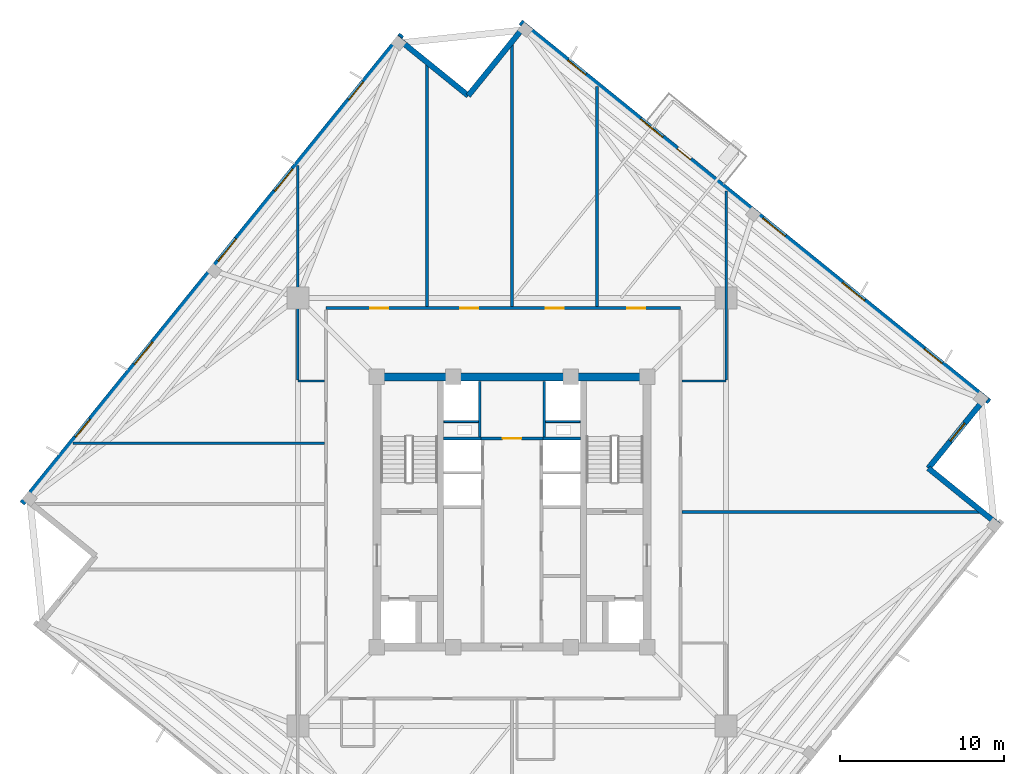
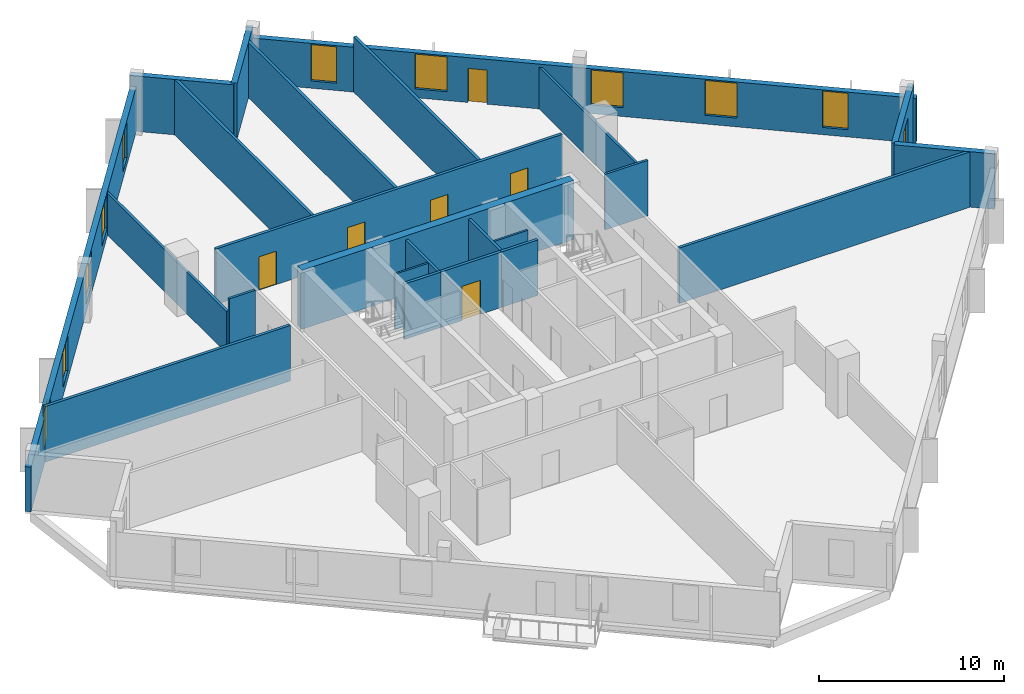
# One storey, part 5 of 10: 24 walls, 11 windows, 6 doors, 17 openings.
"""IFC4 building model written with IfcOpenShell, lengths in metres."""

from ifc_helpers import new_model, si_unit, direction, frame, frame_2d, origin, place, context, subcontext, project, spatial, rectangle, extrude, source, transform, mapped, material, layer, layer_set, type_object, element, fill, save


model = new_model("IFC4")

# Units and contexts
model_context = context("Model", 3, precision=1e-05, world=origin(), true_north=direction((0.0, 1.0)))
body_context = subcontext(model_context, "Body", "Model", "MODEL_VIEW")
ifc_project = project(units=[si_unit("LENGTHUNIT", "METRE"), si_unit("AREAUNIT", "SQUARE_METRE"), si_unit("VOLUMEUNIT", "CUBIC_METRE"), si_unit("PLANEANGLEUNIT", "RADIAN"), si_unit("MASSUNIT", "GRAM", prefix="KILO"), si_unit("THERMODYNAMICTEMPERATUREUNIT", "KELVIN")], contexts=[model_context])

# Site, building, storey
site_placement = place(None, origin())
site = spatial("IfcSite", under=ifc_project, at=site_placement, CompositionType="ELEMENT")
building_placement = place(site_placement, origin())
building = spatial("IfcBuilding", under=site, at=building_placement, Name="Kosmvard Interchange Tower", CompositionType="ELEMENT")
storey_placement = place(building_placement, frame((0.0, 0.0, 252.39990234375)))
storey = spatial("IfcBuildingStorey", under=building, at=storey_placement, Name="L61", CompositionType="ELEMENT", Elevation=252.39990234375)

# Walls
ifc_material_1 = material(Name="Acoustic gypsum partition system")
ifc_layer_1 = layer(ifc_material_1, 0.14990234375, Name="Acoustic gypsum partition system")
ifc_layer_set_1 = layer_set([ifc_layer_1], Name="Acoustic gypsum partition system")
wall_type_1 = type_object("IfcWallType", Name="Acoustic Suite & Meeting Partition 150", PredefinedType="PARTITIONING", material=ifc_layer_set_1)
wall_1_placement = place(storey_placement, frame((10.39501953125, 8.0, 0.0), z_axis=(0.0, 0.0, 1.0), x_axis=(1.0, 0.0, 0.0)))
element("IfcWall", 1, at=wall_1_placement, inside=storey, type_object=wall_type_1, Name="L61 Room Partition 09.1", PredefinedType="PARTITIONING", context=body_context, shape_type="SweptSolid", body=[
    extrude(rectangle(XDim=2.68603515625, YDim=0.14990234375, at=frame_2d((1.343017578125, 0.0))), origin(), (0.0, 0.0, 1.0), 3.66015625),
])
wall_2_placement = place(storey_placement, frame((13.0810546875, 8.074951171875, 0.0), z_axis=(0.0, 0.0, 1.0), x_axis=(0.0, 1.0, 0.0)))
element("IfcWall", 2, at=wall_2_placement, inside=storey, type_object=wall_type_1, Name="L61 Room Partition 10.1", PredefinedType="PARTITIONING", context=body_context, shape_type="SweptSolid", body=[
    extrude(rectangle(XDim=11.5390625, YDim=0.14990234375, at=frame_2d((5.76953125, 0.0))), origin(), (0.0, 0.0, 1.0), 2.760009765625),
])
wall_3_placement = place(storey_placement, frame((-11.445068359375, 8.0, 0.0), z_axis=(0.0, 0.0, 1.0), x_axis=(-1.0, 0.0, 0.0)))
element("IfcWall", 3, at=wall_3_placement, inside=storey, type_object=wall_type_1, Name="L61 Room Partition 15.1", PredefinedType="PARTITIONING", context=body_context, shape_type="SweptSolid", body=[
    extrude(rectangle(XDim=1.635986328125, YDim=0.14990234375, at=frame_2d((0.81787109375, 0.0))), origin(), (0.0, 0.0, 1.0), 3.66015625),
])
wall_4_placement = place(storey_placement, frame((-13.0810546875, 8.074951171875, 0.0), z_axis=(0.0, 0.0, 1.0), x_axis=(0.0, 1.0, 0.0)))
element("IfcWall", 4, at=wall_4_placement, inside=storey, type_object=wall_type_1, Name="L61 Room Partition 16.1", PredefinedType="PARTITIONING", context=body_context, shape_type="SweptSolid", body=[
    extrude(rectangle(XDim=13.073486328125, YDim=0.14990234375, at=frame_2d((6.53662109375, 0.0))), origin(), (0.0, 0.0, 1.0), 2.760009765625),
])
ifc_material_2 = material(Name="Fire-rated gypsum partition system")
ifc_layer_2 = layer(ifc_material_2, 0.159912109375, Name="Fire-rated gypsum partition system")
ifc_layer_set_2 = layer_set([ifc_layer_2], Name="Fire-rated gypsum partition system")
wall_type_2 = type_object("IfcWallType", Name="Core Compartment & Shuttle Lobby Partition 160", PredefinedType="PARTITIONING", material=ifc_layer_set_2)
for number, where, z_axis, x_axis, name in (
    (5, (-1.9599609375, 4.580078125, 0.0), (0.0, 0.0, 1.0), (0.0, 1.0, 0.0), "L61 North Core West Wall"),
    (6, (1.9599609375, 4.580078125, 0.0), (0.0, 0.0, 1.0), (0.0, 1.0, 0.0), "L61 North Core East Wall"),
):
    element("IfcWall", number, at=place(storey_placement, frame(where, z_axis=z_axis, x_axis=x_axis)), inside=storey, type_object=wall_type_2, Name=name, PredefinedType="PARTITIONING", context=body_context, shape_type="SweptSolid", body=[
        extrude(rectangle(XDim=3.39990234375, YDim=0.159912109375, at=frame_2d((1.699951171875, 0.0))), origin(), (0.0, 0.0, 1.0), 3.66015625),
    ])

# Wall, opening, door
ifc_layer_3 = layer(ifc_material_2, 0.179931640625, Name="Fire-rated gypsum partition system")
ifc_layer_set_3 = layer_set([ifc_layer_3], Name="Fire-rated gypsum partition system")
wall_type_3 = type_object("IfcWallType", Name="Corridor & Hotel Compartment Partition 180", PredefinedType="PARTITIONING", material=ifc_layer_set_3)
wall_5_placement = place(storey_placement, frame((-1.8798828125, 4.489990234375, 0.0), z_axis=(0.0, 0.0, 1.0), x_axis=(1.0, 0.0, 0.0)))
wall_5 = element("IfcWall", 7, at=wall_5_placement, inside=storey, type_object=wall_type_3, Name="L61 Lift Lobby North Partition", PredefinedType="PARTITIONING", context=body_context, shape_type="SweptSolid", body=[
    extrude(rectangle(XDim=3.759765625, YDim=0.179931640625, at=frame_2d((1.8798828125, 0.0))), origin(), (0.0, 0.0, 1.0), 3.66015625),
])
opening_1_placement = place(wall_5_placement, frame((1.304931640625, 0.0, 0.0)))
opening_1 = element("IfcOpeningElement", 8, at=opening_1_placement, cuts=wall_5, Name="Opening L61-KD1", PredefinedType="OPENING", context=body_context, shape_type="SweptSolid", body=[
    extrude(rectangle(XDim=1.14990234375, YDim=2.25, at=frame_2d((0.574951171875, 1.125))), frame((0.0, 0.10009765625, 0.0), z_axis=(0.0, -1.0, 0.0), x_axis=(1.0, 0.0, 0.0)), (0.0, 0.0, 1.0), 0.199951171875),
])
ifc_material_3 = material(Name="Painted fire-rated steel leaf", Category="steel")
door_type_1 = type_object("IfcDoorType", Name="Plant & Riser Fire Door 1150x2250 EI60", OperationType="NOTDEFINED", PredefinedType="DOOR", material=ifc_material_3)
shared_shape_1 = source(origin(), body_context, "Body", "SweptSolid", [
    extrude(rectangle(XDim=1.14990234375, YDim=2.25, at=frame_2d((0.574951171875, 1.125))), frame((0.0, 0.02490234375, 0.0), z_axis=(0.0, -1.0, 0.0), x_axis=(1.0, 0.0, 0.0)), (0.0, 0.0, 1.0), 0.050048828125),
])
door_1_placement = place(opening_1_placement, origin())
door_1 = element("IfcDoor", 9, at=door_1_placement, inside=storey, type_object=door_type_1, Name="L61 Core IT Room Door", OperationType="SINGLE_SWING_LEFT", OverallHeight=2.25, OverallWidth=1.14990234375, PredefinedType="DOOR", context=body_context, shape_type="MappedRepresentation", body=[
    mapped(shared_shape_1, transform((0.0, 0.0, 0.0), scale=1.0)),
])
fill(opening_1, door_1)

# Wall, openings, doors
wall_6_placement = place(storey_placement, frame((-11.35009765625, 12.449951171875, 0.0), z_axis=(0.0, 0.0, 1.0), x_axis=(1.0, 0.0, 0.0)))
wall_6 = element("IfcWall", 10, at=wall_6_placement, inside=storey, type_object=wall_type_3, Name="L61 Corridor Wall CN", PredefinedType="PARTITIONING", context=body_context, shape_type="SweptSolid", body=[
    extrude(rectangle(XDim=21.650146484375, YDim=0.179931640625, at=frame_2d((10.8251953125, 0.0))), origin(), (0.0, 0.0, 1.0), 3.66015625),
])
opening_2_placement = place(wall_6_placement, frame((2.689453125, 0.0, 0.0)))
opening_2 = element("IfcOpeningElement", 11, at=opening_2_placement, cuts=wall_6, Name="Opening L61-D05", PredefinedType="OPENING", context=body_context, shape_type="SweptSolid", body=[
    extrude(rectangle(XDim=1.10009765625, YDim=2.199951171875, at=frame_2d((0.550048828125, 1.10009765625))), frame((0.0, 0.10009765625, 0.0), z_axis=(0.0, -1.0, 0.0), x_axis=(1.0, 0.0, 0.0)), (0.0, 0.0, 1.0), 0.199951171875),
])
opening_3_placement = place(wall_6_placement, frame((8.199951171875, 0.0, 0.0)))
opening_3 = element("IfcOpeningElement", 12, at=opening_3_placement, cuts=wall_6, Name="Opening L61-D06", PredefinedType="OPENING", context=body_context, shape_type="SweptSolid", body=[
    extrude(rectangle(XDim=1.10009765625, YDim=2.199951171875, at=frame_2d((0.550048828125, 1.10009765625))), frame((0.0, 0.10009765625, 0.0), z_axis=(0.0, -1.0, 0.0), x_axis=(1.0, 0.0, 0.0)), (0.0, 0.0, 1.0), 0.199951171875),
])
opening_4_placement = place(wall_6_placement, frame((13.39990234375, 0.0, 0.0)))
opening_4 = element("IfcOpeningElement", 13, at=opening_4_placement, cuts=wall_6, Name="Opening L61-D07", PredefinedType="OPENING", context=body_context, shape_type="SweptSolid", body=[
    extrude(rectangle(XDim=1.10009765625, YDim=2.199951171875, at=frame_2d((0.550048828125, 1.10009765625))), frame((0.0, 0.10009765625, 0.0), z_axis=(0.0, -1.0, 0.0), x_axis=(1.0, 0.0, 0.0)), (0.0, 0.0, 1.0), 0.199951171875),
])
opening_5_placement = place(wall_6_placement, frame((18.385498046875, 0.0, 0.0)))
opening_5 = element("IfcOpeningElement", 14, at=opening_5_placement, cuts=wall_6, Name="Opening L61-D08", PredefinedType="OPENING", context=body_context, shape_type="SweptSolid", body=[
    extrude(rectangle(XDim=1.10009765625, YDim=2.199951171875, at=frame_2d((0.550048828125, 1.10009765625))), frame((0.0, 0.10009765625, 0.0), z_axis=(0.0, -1.0, 0.0), x_axis=(1.0, 0.0, 0.0)), (0.0, 0.0, 1.0), 0.199951171875),
])
ifc_material_4 = material(Name="Engineered oak fire-rated timber", Category="wood")
door_type_2 = type_object("IfcDoorType", Name="Office Suite Entrance Door 1100x2200 FD30S", OperationType="NOTDEFINED", PredefinedType="DOOR", material=ifc_material_4)
shared_shape_2 = source(origin(), body_context, "Body", "SweptSolid", [
    extrude(rectangle(XDim=1.10009765625, YDim=2.199951171875, at=frame_2d((0.550048828125, 1.10009765625))), frame((0.0, 0.02490234375, 0.0), z_axis=(0.0, -1.0, 0.0), x_axis=(1.0, 0.0, 0.0)), (0.0, 0.0, 1.0), 0.050048828125),
])
door_2_placement = place(opening_2_placement, origin())
door_2 = element("IfcDoor", 15, at=door_2_placement, inside=storey, type_object=door_type_2, Name="L61 North-East Corner Office Door", OperationType="SINGLE_SWING_LEFT", OverallHeight=2.199951171875, OverallWidth=1.10009765625, PredefinedType="DOOR", context=body_context, shape_type="MappedRepresentation", body=[
    mapped(shared_shape_2, transform((0.0, 0.0, 0.0), scale=1.0)),
])
fill(opening_2, door_2)
door_3_placement = place(opening_3_placement, origin())
door_3 = element("IfcDoor", 16, at=door_3_placement, inside=storey, type_object=door_type_2, Name="L61 East Private Office 2 Door", OperationType="SINGLE_SWING_RIGHT", OverallHeight=2.199951171875, OverallWidth=1.10009765625, PredefinedType="DOOR", context=body_context, shape_type="MappedRepresentation", body=[
    mapped(shared_shape_2, transform((0.0, 0.0, 0.0), scale=1.0)),
])
fill(opening_3, door_3)
door_4_placement = place(opening_4_placement, origin())
door_4 = element("IfcDoor", 17, at=door_4_placement, inside=storey, type_object=door_type_2, Name="L61 South-East Corner Office Door", OperationType="SINGLE_SWING_LEFT", OverallHeight=2.199951171875, OverallWidth=1.10009765625, PredefinedType="DOOR", context=body_context, shape_type="MappedRepresentation", body=[
    mapped(shared_shape_2, transform((0.0, 0.0, 0.0), scale=1.0)),
])
fill(opening_4, door_4)
door_5_placement = place(opening_5_placement, origin())
door_5 = element("IfcDoor", 18, at=door_5_placement, inside=storey, type_object=door_type_2, Name="L61 South Diplomatic Boardroom 3 Door", OperationType="SINGLE_SWING_RIGHT", OverallHeight=2.199951171875, OverallWidth=1.10009765625, PredefinedType="DOOR", context=body_context, shape_type="MappedRepresentation", body=[
    mapped(shared_shape_2, transform((0.0, 0.0, 0.0), scale=1.0)),
])
fill(opening_5, door_5)

# Walls
wall_7_placement = place(storey_placement, frame((-5.199951171875, 12.544921875, 0.0), z_axis=(0.0, 0.0, 1.0), x_axis=(0.0, 1.0, 0.0)))
element("IfcWall", 19, at=wall_7_placement, inside=storey, type_object=wall_type_3, Name="L61 Room Partition 01.1", PredefinedType="PARTITIONING", context=body_context, shape_type="SweptSolid", body=[
    extrude(rectangle(XDim=14.79541015625, YDim=0.179931640625, at=frame_2d((7.397705078125, 0.0))), origin(), (0.0, 0.0, 1.0), 3.66015625),
])
wall_8_placement = place(storey_placement, frame((0.0, 12.544921875, 0.0), z_axis=(0.0, 0.0, 1.0), x_axis=(0.0, 1.0, 0.0)))
element("IfcWall", 20, at=wall_8_placement, inside=storey, type_object=wall_type_3, Name="L61 Room Partition 02.1", PredefinedType="PARTITIONING", context=body_context, shape_type="SweptSolid", body=[
    extrude(rectangle(XDim=16.017578125, YDim=0.179931640625, at=frame_2d((8.0087890625, 0.0))), origin(), (0.0, 0.0, 1.0), 3.66015625),
])
wall_9_placement = place(storey_placement, frame((5.199951171875, 12.544921875, 0.0), z_axis=(0.0, 0.0, 1.0), x_axis=(0.0, 1.0, 0.0)))
element("IfcWall", 21, at=wall_9_placement, inside=storey, type_object=wall_type_3, Name="L61 Room Partition 03.1", PredefinedType="PARTITIONING", context=body_context, shape_type="SweptSolid", body=[
    extrude(rectangle(XDim=13.450927734375, YDim=0.179931640625, at=frame_2d((6.7255859375, 0.0))), origin(), (0.0, 0.0, 1.0), 3.66015625),
])
wall_10_placement = place(storey_placement, frame((10.39501953125, 0.0, 0.0), z_axis=(0.0, 0.0, 1.0), x_axis=(1.0, 0.0, 0.0)))
element("IfcWall", 22, at=wall_10_placement, inside=storey, type_object=wall_type_3, Name="L61 Room Partition 04.1", PredefinedType="PARTITIONING", context=body_context, shape_type="SweptSolid", body=[
    extrude(rectangle(XDim=18.16748046875, YDim=0.179931640625, at=frame_2d((9.083740234375, 0.0))), origin(), (0.0, 0.0, 1.0), 3.66015625),
])
wall_11_placement = place(storey_placement, frame((-11.445068359375, 4.199951171875, 0.0), z_axis=(0.0, 0.0, 1.0), x_axis=(-1.0, 0.0, 0.0)))
element("IfcWall", 23, at=wall_11_placement, inside=storey, type_object=wall_type_3, Name="L61 Room Partition 08.1", PredefinedType="PARTITIONING", context=body_context, shape_type="SweptSolid", body=[
    extrude(rectangle(XDim=15.360595703125, YDim=0.179931640625, at=frame_2d((7.68017578125, 0.0))), origin(), (0.0, 0.0, 1.0), 3.66015625),
])
ifc_material_5 = material(Name="Precast concrete C45/55", Category="concrete")
ifc_layer_4 = layer(ifc_material_5, 0.340087890625, Name="Precast concrete C45/55")
ifc_layer_set_4 = layer_set([ifc_layer_4], Name="Precast concrete C45/55")
wall_type_4 = type_object("IfcWallType", Name="Mid Tower Precast Pier Wall 340 C45/55", PredefinedType="STANDARD", material=ifc_layer_set_4)
wall_12_placement = place(storey_placement, frame((29.703125, -0.78857421875, 0.0), z_axis=(0.0, 0.0, 1.0), x_axis=(-0.77714355312, 0.629323365087, 0.0)))
element("IfcWall", 24, at=wall_12_placement, inside=storey, type_object=wall_type_4, Name="L61 Precast Facade Wall N-SE1", PredefinedType="STANDARD", context=body_context, shape_type="SweptSolid", body=[
    extrude(rectangle(XDim=5.499755859375, YDim=0.340087890625, at=frame_2d((2.75, 0.0))), origin(), (0.0, 0.0, 1.0), 3.66015625),
])

# Wall, opening, window
wall_13_placement = place(storey_placement, frame((25.428955078125, 2.672607421875, 0.0), z_axis=(0.0, 0.0, 1.0), x_axis=(0.629299794138, 0.777162640055, 0.0)))
wall_13 = element("IfcWall", 25, at=wall_13_placement, inside=storey, type_object=wall_type_4, Name="L61 Precast Facade Wall N-SE2", PredefinedType="STANDARD", context=body_context, shape_type="SweptSolid", body=[
    extrude(rectangle(XDim=5.669921875, YDim=0.340087890625, at=frame_2d((2.8349609375, 0.0))), origin(), (0.0, 0.0, 1.0), 3.66015625),
])
opening_6_placement = place(wall_13_placement, frame((2.135009765625, 0.0, 0.47998046875)))
opening_6 = element("IfcOpeningElement", 26, at=opening_6_placement, cuts=wall_13, Name="Opening L61-W21", PredefinedType="OPENING", context=body_context, shape_type="SweptSolid", body=[
    extrude(rectangle(XDim=1.39990234375, YDim=2.39990234375, at=frame_2d((0.699951171875, 1.199951171875))), frame((0.0, 0.18017578125, 0.0), z_axis=(0.0, -1.0, 0.0), x_axis=(1.0, 0.0, 0.0)), (0.0, 0.0, 1.0), 0.360107421875),
])
ifc_material_6 = material(Name="Low-E solar-control double glazing", Category="glass")
window_type_1 = type_object("IfcWindowType", Name="Notched Corner Feature Window 1400x2400", PartitioningType="SINGLE_PANEL", PredefinedType="WINDOW", material=ifc_material_6)
shared_shape_3 = source(origin(), body_context, "Body", "SweptSolid", [
    extrude(rectangle(XDim=1.39990234375, YDim=2.39990234375, at=frame_2d((0.699951171875, 1.199951171875))), frame((0.0, 0.030029296875, 0.0), z_axis=(0.0, -1.0, 0.0), x_axis=(1.0, 0.0, 0.0)), (0.0, 0.0, 1.0), 0.06005859375),
])
window_1_placement = place(opening_6_placement, origin())
window_1 = element("IfcWindow", 27, at=window_1_placement, inside=storey, type_object=window_type_1, Name="L61 Corner Notch Window 21", OverallHeight=2.39990234375, OverallWidth=1.39990234375, PartitioningType="SINGLE_PANEL", PredefinedType="WINDOW", context=body_context, shape_type="MappedRepresentation", body=[
    mapped(shared_shape_3, transform((0.0, 0.0, 0.0), scale=1.0)),
])
fill(opening_6, window_1)

# Wall, openings, door, windows
wall_14_placement = place(storey_placement, frame((29.154296875, 6.73291015625, 0.0), z_axis=(0.0, 0.0, 1.0), x_axis=(-0.77714192302, 0.629325378072, 0.0)))
wall_14 = element("IfcWall", 28, at=wall_14_placement, inside=storey, type_object=wall_type_4, Name="L61 Precast Facade Wall F-E", PredefinedType="STANDARD", context=body_context, shape_type="SweptSolid", body=[
    extrude(rectangle(XDim=36.840087890625, YDim=0.340087890625, at=frame_2d((18.419921875, 0.0))), origin(), (0.0, 0.0, 1.0), 2.960205078125),
])
opening_7_placement = place(wall_14_placement, frame((23.4951171875, 0.0, 0.0)))
opening_7 = element("IfcOpeningElement", 29, at=opening_7_placement, cuts=wall_14, Name="Opening L61-BDE", PredefinedType="OPENING", context=body_context, shape_type="SweptSolid", body=[
    extrude(rectangle(XDim=1.050048828125, YDim=2.25, at=frame_2d((0.52490234375, 1.125))), frame((0.0, 0.18017578125, 0.0), z_axis=(0.0, -1.0, 0.0), x_axis=(1.0, 0.0, 0.0)), (0.0, 0.0, 1.0), 0.360107421875),
])
opening_8_placement = place(wall_14_placement, frame((3.720703125, 0.0, 0.47998046875)))
opening_8 = element("IfcOpeningElement", 30, at=opening_8_placement, cuts=wall_14, Name="Opening L61-W06", PredefinedType="OPENING", context=body_context, shape_type="SweptSolid", body=[
    extrude(rectangle(XDim=1.39990234375, YDim=2.39990234375, at=frame_2d((0.699951171875, 1.199951171875))), frame((0.0, 0.18017578125, 0.0), z_axis=(0.0, -1.0, 0.0), x_axis=(1.0, 0.0, 0.0)), (0.0, 0.0, 1.0), 0.360107421875),
])
opening_9_placement = place(wall_14_placement, frame((9.80859375, 0.0, 0.580078125)))
opening_9 = element("IfcOpeningElement", 31, at=opening_9_placement, cuts=wall_14, Name="Opening L61-W07", PredefinedType="OPENING", context=body_context, shape_type="SweptSolid", body=[
    extrude(rectangle(XDim=1.75, YDim=2.300048828125, at=frame_2d((0.875, 1.14990234375))), frame((0.0, 0.18017578125, 0.0), z_axis=(0.0, -1.0, 0.0), x_axis=(1.0, 0.0, 0.0)), (0.0, 0.0, 1.0), 0.360107421875),
])
opening_10_placement = place(wall_14_placement, frame((16.05810546875, 0.0, 0.580078125)))
opening_10 = element("IfcOpeningElement", 32, at=opening_10_placement, cuts=wall_14, Name="Opening L61-W08", PredefinedType="OPENING", context=body_context, shape_type="SweptSolid", body=[
    extrude(rectangle(XDim=1.75, YDim=2.300048828125, at=frame_2d((0.875, 1.14990234375))), frame((0.0, 0.18017578125, 0.0), z_axis=(0.0, -1.0, 0.0), x_axis=(1.0, 0.0, 0.0)), (0.0, 0.0, 1.0), 0.360107421875),
])
opening_11_placement = place(wall_14_placement, frame((25.67626953125, 0.0, 0.580078125)))
opening_11 = element("IfcOpeningElement", 33, at=opening_11_placement, cuts=wall_14, Name="Opening L61-W09", PredefinedType="OPENING", context=body_context, shape_type="SweptSolid", body=[
    extrude(rectangle(XDim=1.75, YDim=2.300048828125, at=frame_2d((0.875, 1.14990234375))), frame((0.0, 0.18017578125, 0.0), z_axis=(0.0, -1.0, 0.0), x_axis=(1.0, 0.0, 0.0)), (0.0, 0.0, 1.0), 0.360107421875),
])
opening_12_placement = place(wall_14_placement, frame((31.732421875, 0.0, 0.47998046875)))
opening_12 = element("IfcOpeningElement", 34, at=opening_12_placement, cuts=wall_14, Name="Opening L61-W10", PredefinedType="OPENING", context=body_context, shape_type="SweptSolid", body=[
    extrude(rectangle(XDim=1.39990234375, YDim=2.39990234375, at=frame_2d((0.699951171875, 1.199951171875))), frame((0.0, 0.18017578125, 0.0), z_axis=(0.0, -1.0, 0.0), x_axis=(1.0, 0.0, 0.0)), (0.0, 0.0, 1.0), 0.360107421875),
])
ifc_material_7 = material(Name="Anodised aluminium and safety glass", Category="aluminium")
door_type_3 = type_object("IfcDoorType", Name="Tree-Balcony Glazed Door 1050x2250", OperationType="NOTDEFINED", PredefinedType="DOOR", material=ifc_material_7)
shared_shape_4 = source(origin(), body_context, "Body", "SweptSolid", [
    extrude(rectangle(XDim=1.050048828125, YDim=2.25, at=frame_2d((0.52490234375, 1.125))), frame((0.0, 0.02490234375, 0.0), z_axis=(0.0, -1.0, 0.0), x_axis=(1.0, 0.0, 0.0)), (0.0, 0.0, 1.0), 0.050048828125),
])
door_6_placement = place(opening_7_placement, origin())
door_6 = element("IfcDoor", 35, at=door_6_placement, inside=storey, type_object=door_type_3, Name="L61 Tree-Balcony Door BAL-L61-E", OperationType="SINGLE_SWING_RIGHT", OverallHeight=2.25, OverallWidth=1.050048828125, PredefinedType="DOOR", context=body_context, shape_type="MappedRepresentation", body=[
    mapped(shared_shape_4, transform((0.0, 0.0, 0.0), scale=1.0)),
])
fill(opening_7, door_6)
window_2_placement = place(opening_8_placement, origin())
window_2 = element("IfcWindow", 36, at=window_2_placement, inside=storey, type_object=window_type_1, Name="L61 Facade Punched Window 06", OverallHeight=2.39990234375, OverallWidth=1.39990234375, PartitioningType="SINGLE_PANEL", PredefinedType="WINDOW", context=body_context, shape_type="MappedRepresentation", body=[
    mapped(shared_shape_3, transform((0.0, 0.0, 0.0), scale=1.0)),
])
fill(opening_8, window_2)
window_3_placement = place(opening_12_placement, origin())
window_3 = element("IfcWindow", 37, at=window_3_placement, inside=storey, type_object=window_type_1, Name="L61 Facade Punched Window 10", OverallHeight=2.39990234375, OverallWidth=1.39990234375, PartitioningType="SINGLE_PANEL", PredefinedType="WINDOW", context=body_context, shape_type="MappedRepresentation", body=[
    mapped(shared_shape_3, transform((0.0, 0.0, 0.0), scale=1.0)),
])
fill(opening_12, window_3)
window_type_2 = type_object("IfcWindowType", Name="Zone 4 Suite Punched Window 1750x2300", PartitioningType="SINGLE_PANEL", PredefinedType="WINDOW", material=ifc_material_6)
shared_shape_5 = source(origin(), body_context, "Body", "SweptSolid", [
    extrude(rectangle(XDim=1.75, YDim=2.300048828125, at=frame_2d((0.875, 1.14990234375))), frame((0.0, 0.030029296875, 0.0), z_axis=(0.0, -1.0, 0.0), x_axis=(1.0, 0.0, 0.0)), (0.0, 0.0, 1.0), 0.06005859375),
])
window_4_placement = place(opening_9_placement, origin())
window_4 = element("IfcWindow", 38, at=window_4_placement, inside=storey, type_object=window_type_2, Name="L61 Facade Punched Window 07", OverallHeight=2.300048828125, OverallWidth=1.75, PartitioningType="SINGLE_PANEL", PredefinedType="WINDOW", context=body_context, shape_type="MappedRepresentation", body=[
    mapped(shared_shape_5, transform((0.0, 0.0, 0.0), scale=1.0)),
])
fill(opening_9, window_4)
window_5_placement = place(opening_10_placement, origin())
window_5 = element("IfcWindow", 39, at=window_5_placement, inside=storey, type_object=window_type_2, Name="L61 Facade Punched Window 08", OverallHeight=2.300048828125, OverallWidth=1.75, PartitioningType="SINGLE_PANEL", PredefinedType="WINDOW", context=body_context, shape_type="MappedRepresentation", body=[
    mapped(shared_shape_5, transform((0.0, 0.0, 0.0), scale=1.0)),
])
fill(opening_10, window_5)
window_6_placement = place(opening_11_placement, origin())
window_6 = element("IfcWindow", 40, at=window_6_placement, inside=storey, type_object=window_type_2, Name="L61 Facade Punched Window 09", OverallHeight=2.300048828125, OverallWidth=1.75, PartitioningType="SINGLE_PANEL", PredefinedType="WINDOW", context=body_context, shape_type="MappedRepresentation", body=[
    mapped(shared_shape_5, transform((0.0, 0.0, 0.0), scale=1.0)),
])
fill(opening_11, window_6)

# Walls
wall_15_placement = place(storey_placement, frame((0.78857421875, 29.703125, 0.0), z_axis=(0.0, 0.0, 1.0), x_axis=(-0.629323365087, -0.77714355312, 0.0)))
element("IfcWall", 41, at=wall_15_placement, inside=storey, type_object=wall_type_4, Name="L61 Precast Facade Wall N-NE1", PredefinedType="STANDARD", context=body_context, shape_type="SweptSolid", body=[
    extrude(rectangle(XDim=5.499755859375, YDim=0.340087890625, at=frame_2d((2.75, 0.0))), origin(), (0.0, 0.0, 1.0), 3.66015625),
])
wall_16_placement = place(storey_placement, frame((-2.672607421875, 25.428955078125, 0.0), z_axis=(0.0, 0.0, 1.0), x_axis=(-0.777162640055, 0.629299794138, 0.0)))
element("IfcWall", 42, at=wall_16_placement, inside=storey, type_object=wall_type_4, Name="L61 Precast Facade Wall N-NE2", PredefinedType="STANDARD", context=body_context, shape_type="SweptSolid", body=[
    extrude(rectangle(XDim=5.669921875, YDim=0.340087890625, at=frame_2d((2.8349609375, 0.0))), origin(), (0.0, 0.0, 1.0), 3.66015625),
])

# Wall, openings, windows
wall_17_placement = place(storey_placement, frame((-6.73291015625, 29.154296875, 0.0), z_axis=(0.0, 0.0, 1.0), x_axis=(-0.629325378072, -0.77714192302, 0.0)))
wall_17 = element("IfcWall", 43, at=wall_17_placement, inside=storey, type_object=wall_type_4, Name="L61 Precast Facade Wall F-N", PredefinedType="STANDARD", context=body_context, shape_type="SweptSolid", body=[
    extrude(rectangle(XDim=36.840087890625, YDim=0.340087890625, at=frame_2d((18.419921875, 0.0))), origin(), (0.0, 0.0, 1.0), 2.960205078125),
])
opening_13_placement = place(wall_17_placement, frame((3.720703125, 0.0, 0.47998046875)))
opening_13 = element("IfcOpeningElement", 44, at=opening_13_placement, cuts=wall_17, Name="Opening L61-W11", PredefinedType="OPENING", context=body_context, shape_type="SweptSolid", body=[
    extrude(rectangle(XDim=1.39990234375, YDim=2.39990234375, at=frame_2d((0.699951171875, 1.199951171875))), frame((0.0, 0.18017578125, 0.0), z_axis=(0.0, -1.0, 0.0), x_axis=(1.0, 0.0, 0.0)), (0.0, 0.0, 1.0), 0.360107421875),
])
opening_14_placement = place(wall_17_placement, frame((10.55859375, 0.0, 0.580078125)))
opening_14 = element("IfcOpeningElement", 45, at=opening_14_placement, cuts=wall_17, Name="Opening L61-W12", PredefinedType="OPENING", context=body_context, shape_type="SweptSolid", body=[
    extrude(rectangle(XDim=1.75, YDim=2.300048828125, at=frame_2d((0.875, 1.14990234375))), frame((0.0, 0.18017578125, 0.0), z_axis=(0.0, -1.0, 0.0), x_axis=(1.0, 0.0, 0.0)), (0.0, 0.0, 1.0), 0.360107421875),
])
opening_15_placement = place(wall_17_placement, frame((16.05810546875, 0.0, 0.580078125)))
opening_15 = element("IfcOpeningElement", 46, at=opening_15_placement, cuts=wall_17, Name="Opening L61-W13", PredefinedType="OPENING", context=body_context, shape_type="SweptSolid", body=[
    extrude(rectangle(XDim=1.75, YDim=2.300048828125, at=frame_2d((0.875, 1.14990234375))), frame((0.0, 0.18017578125, 0.0), z_axis=(0.0, -1.0, 0.0), x_axis=(1.0, 0.0, 0.0)), (0.0, 0.0, 1.0), 0.360107421875),
])
opening_16_placement = place(wall_17_placement, frame((24.17626953125, 0.0, 0.580078125)))
opening_16 = element("IfcOpeningElement", 47, at=opening_16_placement, cuts=wall_17, Name="Opening L61-W14", PredefinedType="OPENING", context=body_context, shape_type="SweptSolid", body=[
    extrude(rectangle(XDim=1.75, YDim=2.300048828125, at=frame_2d((0.875, 1.14990234375))), frame((0.0, 0.18017578125, 0.0), z_axis=(0.0, -1.0, 0.0), x_axis=(1.0, 0.0, 0.0)), (0.0, 0.0, 1.0), 0.360107421875),
])
opening_17_placement = place(wall_17_placement, frame((30.232421875, 0.0, 0.47998046875)))
opening_17 = element("IfcOpeningElement", 48, at=opening_17_placement, cuts=wall_17, Name="Opening L61-W15", PredefinedType="OPENING", context=body_context, shape_type="SweptSolid", body=[
    extrude(rectangle(XDim=1.39990234375, YDim=2.39990234375, at=frame_2d((0.699951171875, 1.199951171875))), frame((0.0, 0.18017578125, 0.0), z_axis=(0.0, -1.0, 0.0), x_axis=(1.0, 0.0, 0.0)), (0.0, 0.0, 1.0), 0.360107421875),
])
window_7_placement = place(opening_13_placement, origin())
window_7 = element("IfcWindow", 49, at=window_7_placement, inside=storey, type_object=window_type_1, Name="L61 Facade Punched Window 11", OverallHeight=2.39990234375, OverallWidth=1.39990234375, PartitioningType="SINGLE_PANEL", PredefinedType="WINDOW", context=body_context, shape_type="MappedRepresentation", body=[
    mapped(shared_shape_3, transform((0.0, 0.0, 0.0), scale=1.0)),
])
fill(opening_13, window_7)
window_8_placement = place(opening_17_placement, origin())
window_8 = element("IfcWindow", 50, at=window_8_placement, inside=storey, type_object=window_type_1, Name="L61 Facade Punched Window 15", OverallHeight=2.39990234375, OverallWidth=1.39990234375, PartitioningType="SINGLE_PANEL", PredefinedType="WINDOW", context=body_context, shape_type="MappedRepresentation", body=[
    mapped(shared_shape_3, transform((0.0, 0.0, 0.0), scale=1.0)),
])
fill(opening_17, window_8)
window_9_placement = place(opening_14_placement, origin())
window_9 = element("IfcWindow", 51, at=window_9_placement, inside=storey, type_object=window_type_2, Name="L61 Facade Punched Window 12", OverallHeight=2.300048828125, OverallWidth=1.75, PartitioningType="SINGLE_PANEL", PredefinedType="WINDOW", context=body_context, shape_type="MappedRepresentation", body=[
    mapped(shared_shape_5, transform((0.0, 0.0, 0.0), scale=1.0)),
])
fill(opening_14, window_9)
window_10_placement = place(opening_15_placement, origin())
window_10 = element("IfcWindow", 52, at=window_10_placement, inside=storey, type_object=window_type_2, Name="L61 Facade Punched Window 13", OverallHeight=2.300048828125, OverallWidth=1.75, PartitioningType="SINGLE_PANEL", PredefinedType="WINDOW", context=body_context, shape_type="MappedRepresentation", body=[
    mapped(shared_shape_5, transform((0.0, 0.0, 0.0), scale=1.0)),
])
fill(opening_15, window_10)
window_11_placement = place(opening_16_placement, origin())
window_11 = element("IfcWindow", 53, at=window_11_placement, inside=storey, type_object=window_type_2, Name="L61 Facade Punched Window 14", OverallHeight=2.300048828125, OverallWidth=1.75, PartitioningType="SINGLE_PANEL", PredefinedType="WINDOW", context=body_context, shape_type="MappedRepresentation", body=[
    mapped(shared_shape_5, transform((0.0, 0.0, 0.0), scale=1.0)),
])
fill(opening_16, window_11)

# Walls
ifc_material_8 = material(Name="Concrete blockwork masonry", Category="masonry")
ifc_layer_5 = layer(ifc_material_8, 0.179931640625, Name="Concrete blockwork masonry")
ifc_layer_set_5 = layer_set([ifc_layer_5], Name="Concrete blockwork masonry")
wall_type_5 = type_object("IfcWallType", Name="Riser & Lift Bank Divider Wall 180", PredefinedType="PARTITIONING", material=ifc_layer_set_5)
for number, where, z_axis, x_axis, name in (
    (54, (-4.169921875, 4.489990234375, 0.0), (0.0, 0.0, 1.0), (1.0, 0.0, 0.0), "L61 West Bank Divider BD3"),
    (55, (1.889892578125, 4.489990234375, 0.0), (0.0, 0.0, 1.0), (1.0, 0.0, 0.0), "L61 East Bank Divider BD3"),
):
    element("IfcWall", number, at=place(storey_placement, frame(where, z_axis=z_axis, x_axis=x_axis)), inside=storey, type_object=wall_type_5, Name=name, PredefinedType="PARTITIONING", context=body_context, shape_type="SweptSolid", body=[
        extrude(rectangle(XDim=2.280029296875, YDim=0.179931640625, at=frame_2d((1.14013671875, 0.0))), origin(), (0.0, 0.0, 1.0), 3.66015625),
    ])
ifc_material_9 = material(Name="Fire-rated gypsum shaftwall system")
ifc_layer_6 = layer(ifc_material_9, 0.1201171875, Name="Fire-rated gypsum shaftwall system")
ifc_layer_set_6 = layer_set([ifc_layer_6], Name="Fire-rated gypsum shaftwall system")
wall_type_6 = type_object("IfcWallType", Name="Shaft & Riser Fire Partition 120 EI60", PredefinedType="PARTITIONING", material=ifc_layer_set_6)
for number, where, z_axis, x_axis, name in (
    (56, (-4.159912109375, 5.52001953125, 0.0), (0.0, 0.0, 1.0), (1.0, 0.0, 0.0), "L61 Riser Shaft Divider W"),
    (57, (2.06005859375, 5.52001953125, 0.0), (0.0, 0.0, 1.0), (1.0, 0.0, 0.0), "L61 Riser Shaft Divider E"),
):
    element("IfcWall", number, at=place(storey_placement, frame(where, z_axis=z_axis, x_axis=x_axis)), inside=storey, type_object=wall_type_6, Name=name, PredefinedType="PARTITIONING", context=body_context, shape_type="SweptSolid", body=[
        extrude(rectangle(XDim=2.099853515625, YDim=0.1201171875, at=frame_2d((1.0498046875, 0.0))), origin(), (0.0, 0.0, 1.0), 3.66015625),
    ])
ifc_material_10 = material(Name="Concrete C60/75", Category="concrete")
ifc_layer_7 = layer(ifc_material_10, 0.5, Name="Concrete C60/75")
ifc_layer_set_7 = layer_set([ifc_layer_7], Name="Concrete C60/75")
wall_type_7 = type_object("IfcWallType", Name="Upper Core Shear Wall 500 C60/75", PredefinedType="SHEAR", material=ifc_layer_set_7)
wall_18_placement = place(storey_placement, frame((-8.5, 8.25, 0.0), z_axis=(0.0, 0.0, 1.0), x_axis=(1.0, 0.0, 0.0)))
element("IfcWall", 58, at=wall_18_placement, inside=storey, type_object=wall_type_7, Name="L61 Core Shear Wall CW-N", PredefinedType="SHEAR", context=body_context, shape_type="SweptSolid", body=[
    extrude(rectangle(XDim=17.0, YDim=0.5, at=frame_2d((8.5, 0.0))), origin(), (0.0, 0.0, 1.0), 3.900146484375),
])

save(model, "model.ifc")
